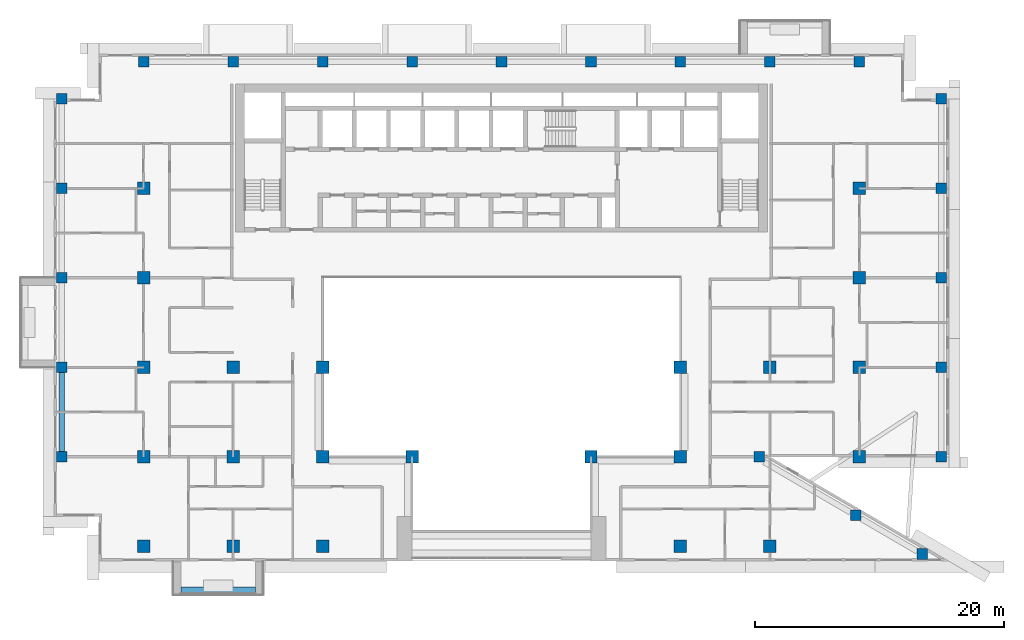
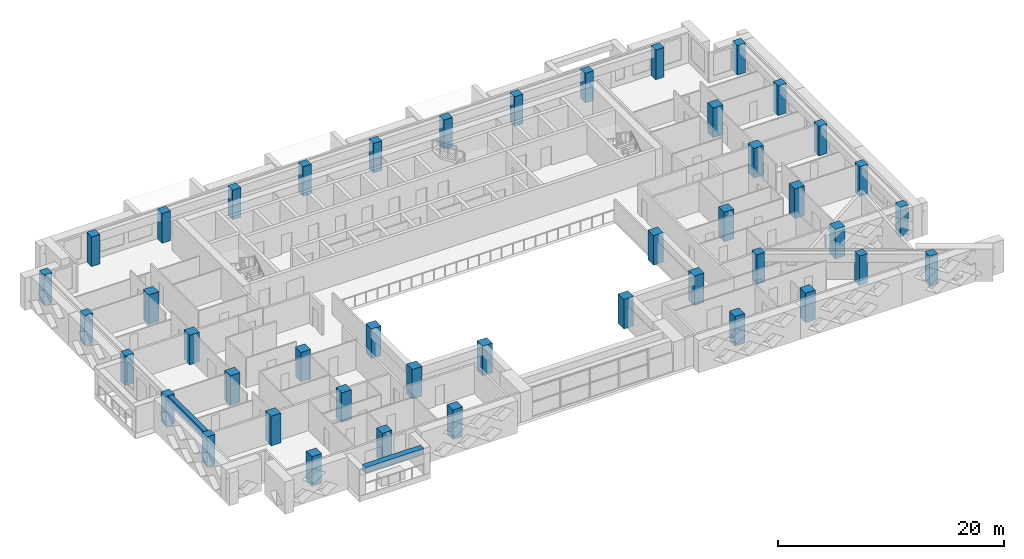
# One storey, part 1 of 20: 44 columns, 2 beams.
"""IFC4 building model written with IfcOpenShell, lengths in metres."""

from ifc_helpers import new_model, si_unit, direction, frame, origin, origin_2d, place, context, subcontext, project, spatial, rectangle, extrude, source, transform, mapped, material, material_profile, profile_set, type_object, element, save


model = new_model("IFC4")

# Units and contexts
model_context = context("Model", 3, precision=1e-05, world=origin(), true_north=direction((0.0, 1.0)))
body_context = subcontext(model_context, "Body", "Model", "MODEL_VIEW")
ifc_project = project(units=[si_unit("LENGTHUNIT", "METRE"), si_unit("AREAUNIT", "SQUARE_METRE"), si_unit("VOLUMEUNIT", "CUBIC_METRE"), si_unit("PLANEANGLEUNIT", "RADIAN"), si_unit("MASSUNIT", "GRAM", prefix="KILO")], contexts=[model_context])

# Site, building, storey
site_placement = place(None, origin())
site = spatial("IfcSite", under=ifc_project, at=site_placement, CompositionType="ELEMENT")
building_placement = place(site_placement, origin())
building = spatial("IfcBuilding", under=site, at=building_placement, Name="Saffron Iwan Residences", CompositionType="ELEMENT")
storey_placement = place(building_placement, frame((0.0, 0.0, 164.0)))
storey = spatial("IfcBuildingStorey", under=building, at=storey_placement, Name="L43", CompositionType="ELEMENT", Elevation=164.0)

# Columns
ifc_material_1 = material(Name="Concrete C50/60", Category="concrete")
ifc_material_profile_1 = material_profile(ifc_material_1, rectangle(XDim=0.85009765625, YDim=0.85009765625, at=origin_2d()), Name="RC 850x850")
ifc_profile_set_1 = profile_set([ifc_material_profile_1], Name="Concrete C50/60")
column_type_1 = type_object("IfcColumnType", Name="COL RC 850x850 C50/60 3200 HIGH", PredefinedType="COLUMN", material=ifc_profile_set_1)
shared_shape_1 = source(origin(), body_context, "Body", "SweptSolid", [
    extrude(rectangle(XDim=0.85009765625, YDim=0.85009765625, at=origin_2d()), origin(), (0.0, 0.0, 1.0), 3.199951171875),
])
for number, where, z_axis, x_axis, name in (
    (1, (84.276123046875, 40.17431640625, 0.0), (0.0, 0.0, 1.0), (1.0, 0.0, 0.0), "Column C045"),
    (2, (78.897705078125, 43.28173828125, 0.0), (0.0, 0.0, 1.0), (1.0, 0.0, 0.0), "Column C058"),
    (3, (15.0, 48.0, 0.0), (0.0, 0.0, 1.0), (1.0, 0.0, 0.0), "Column C061"),
    (4, (71.14990234375, 48.0, 0.0), (0.0, 0.0, 1.0), (1.0, 0.0, 0.0), "Column C070"),
    (5, (85.800048828125, 48.0, 0.0), (0.0, 0.0, 1.0), (1.0, 0.0, 0.0), "Column C074"),
    (6, (15.0, 55.199951171875, 0.0), (0.0, 0.0, 1.0), (1.0, 0.0, 0.0), "Column C077"),
    (7, (85.800048828125, 55.199951171875, 0.0), (0.0, 0.0, 1.0), (1.0, 0.0, 0.0), "Column C086"),
    (8, (15.0, 62.39990234375, 0.0), (0.0, 0.0, 1.0), (1.0, 0.0, 0.0), "Column C089"),
    (9, (85.800048828125, 62.39990234375, 0.0), (0.0, 0.0, 1.0), (1.0, 0.0, 0.0), "Column C094"),
    (10, (15.0, 69.60009765625, 0.0), (0.0, 0.0, 1.0), (1.0, 0.0, 0.0), "Column C097"),
    (11, (85.800048828125, 69.60009765625, 0.0), (0.0, 0.0, 1.0), (1.0, 0.0, 0.0), "Column C102"),
    (12, (15.0, 76.800048828125, 0.0), (0.0, 0.0, 1.0), (1.0, 0.0, 0.0), "Column C105"),
    (13, (85.800048828125, 76.800048828125, 0.0), (0.0, 0.0, 1.0), (1.0, 0.0, 0.0), "Column C110"),
    (14, (21.60009765625, 79.800048828125, 0.0), (0.0, 0.0, 1.0), (1.0, 0.0, 0.0), "Column C113"),
    (15, (28.800048828125, 79.800048828125, 0.0), (0.0, 0.0, 1.0), (1.0, 0.0, 0.0), "Column C115"),
    (16, (36.0, 79.800048828125, 0.0), (0.0, 0.0, 1.0), (1.0, 0.0, 0.0), "Column C116"),
    (17, (43.199951171875, 79.800048828125, 0.0), (0.0, 0.0, 1.0), (1.0, 0.0, 0.0), "Column C117"),
    (18, (50.39990234375, 79.800048828125, 0.0), (0.0, 0.0, 1.0), (1.0, 0.0, 0.0), "Column C118"),
    (19, (57.60009765625, 79.800048828125, 0.0), (0.0, 0.0, 1.0), (1.0, 0.0, 0.0), "Column C119"),
    (20, (64.800048828125, 79.800048828125, 0.0), (0.0, 0.0, 1.0), (1.0, 0.0, 0.0), "Column C120"),
    (21, (72.0, 79.800048828125, 0.0), (0.0, 0.0, 1.0), (1.0, 0.0, 0.0), "Column C121"),
    (22, (79.199951171875, 79.800048828125, 0.0), (0.0, 0.0, 1.0), (1.0, 0.0, 0.0), "Column C123"),
):
    element("IfcColumn", number, at=place(storey_placement, frame(where, z_axis=z_axis, x_axis=x_axis)), inside=storey, type_object=column_type_1, Name=name, PredefinedType="COLUMN", context=body_context, shape_type="MappedRepresentation", body=[
        mapped(shared_shape_1, transform((0.0, 0.0, 0.0))),
    ])
ifc_material_profile_2 = material_profile(ifc_material_1, rectangle(XDim=1.0, YDim=1.0, at=origin_2d()), Name="RC 1000x1000")
ifc_profile_set_2 = profile_set([ifc_material_profile_2], Name="Concrete C50/60")
column_type_2 = type_object("IfcColumnType", Name="COL RC 1000x1000 C50/60 3200 HIGH", PredefinedType="COLUMN", material=ifc_profile_set_2)
shared_shape_2 = source(origin(), body_context, "Body", "SweptSolid", [
    extrude(rectangle(XDim=1.0, YDim=1.0, at=origin_2d()), origin(), (0.0, 0.0, 1.0), 3.199951171875),
])
for number, where, z_axis, x_axis, name in (
    (23, (21.60009765625, 40.800048828125, 0.0), (0.0, 0.0, 1.0), (1.0, 0.0, 0.0), "Column C049"),
    (24, (28.800048828125, 40.800048828125, 0.0), (0.0, 0.0, 1.0), (1.0, 0.0, 0.0), "Column C051"),
    (25, (36.0, 40.800048828125, 0.0), (0.0, 0.0, 1.0), (1.0, 0.0, 0.0), "Column C052"),
    (26, (64.800048828125, 40.800048828125, 0.0), (0.0, 0.0, 1.0), (1.0, 0.0, 0.0), "Column C055"),
    (27, (72.0, 40.800048828125, 0.0), (0.0, 0.0, 1.0), (1.0, 0.0, 0.0), "Column C056"),
    (28, (21.60009765625, 48.0, 0.0), (0.0, 0.0, 1.0), (1.0, 0.0, 0.0), "Column C063"),
    (29, (28.800048828125, 48.0, 0.0), (0.0, 0.0, 1.0), (1.0, 0.0, 0.0), "Column C064"),
    (30, (36.0, 48.0, 0.0), (0.0, 0.0, 1.0), (1.0, 0.0, 0.0), "Column C065"),
    (31, (43.199951171875, 48.0, 0.0), (0.0, 0.0, 1.0), (1.0, 0.0, 0.0), "Column C066"),
    (32, (57.60009765625, 48.0, 0.0), (0.0, 0.0, 1.0), (1.0, 0.0, 0.0), "Column C068"),
    (33, (64.800048828125, 48.0, 0.0), (0.0, 0.0, 1.0), (1.0, 0.0, 0.0), "Column C069"),
    (34, (79.199951171875, 48.0, 0.0), (0.0, 0.0, 1.0), (1.0, 0.0, 0.0), "Column C072"),
    (35, (21.60009765625, 55.199951171875, 0.0), (0.0, 0.0, 1.0), (1.0, 0.0, 0.0), "Column C079"),
    (36, (28.800048828125, 55.199951171875, 0.0), (0.0, 0.0, 1.0), (1.0, 0.0, 0.0), "Column C080"),
    (37, (36.0, 55.199951171875, 0.0), (0.0, 0.0, 1.0), (1.0, 0.0, 0.0), "Column C081"),
    (38, (64.800048828125, 55.199951171875, 0.0), (0.0, 0.0, 1.0), (1.0, 0.0, 0.0), "Column C082"),
    (39, (72.0, 55.199951171875, 0.0), (0.0, 0.0, 1.0), (1.0, 0.0, 0.0), "Column C083"),
    (40, (79.199951171875, 55.199951171875, 0.0), (0.0, 0.0, 1.0), (1.0, 0.0, 0.0), "Column C084"),
    (41, (21.60009765625, 62.39990234375, 0.0), (0.0, 0.0, 1.0), (1.0, 0.0, 0.0), "Column C091"),
    (42, (79.199951171875, 62.39990234375, 0.0), (0.0, 0.0, 1.0), (1.0, 0.0, 0.0), "Column C092"),
    (43, (21.60009765625, 69.60009765625, 0.0), (0.0, 0.0, 1.0), (1.0, 0.0, 0.0), "Column C099"),
    (44, (79.199951171875, 69.60009765625, 0.0), (0.0, 0.0, 1.0), (1.0, 0.0, 0.0), "Column C100"),
):
    element("IfcColumn", number, at=place(storey_placement, frame(where, z_axis=z_axis, x_axis=x_axis)), inside=storey, type_object=column_type_2, Name=name, PredefinedType="COLUMN", context=body_context, shape_type="MappedRepresentation", body=[
        mapped(shared_shape_2, transform((0.0, 0.0, 0.0))),
    ])

# Beams
ifc_material_profile_3 = material_profile(ifc_material_1, rectangle(XDim=0.449951171875, YDim=0.89990234375, at=origin_2d()), Name="RC 450x900")
ifc_profile_set_3 = profile_set([ifc_material_profile_3], Name="Concrete C50/60")
beam_type_1 = type_object("IfcBeamType", Name="SPANDREL BEAM RC 450x900 C50/60 TOP 3200", PredefinedType="SPANDREL", material=ifc_profile_set_3)
shared_shape_3 = source(origin(), body_context, "Body", "SweptSolid", [
    extrude(rectangle(XDim=0.449951171875, YDim=0.89990234375, at=origin_2d()), origin(), (0.0, 0.0, 1.0), 6.349853515625),
])
beam_1_placement = place(storey_placement, frame((15.0, 48.425048828125, 2.75), z_axis=(0.0, 1.0, 0.0), x_axis=(-1.0, 0.0, 0.0)))
element("IfcBeam", 45, at=beam_1_placement, inside=storey, type_object=beam_type_1, Name="Spandrel beam", PredefinedType="SPANDREL", context=body_context, shape_type="MappedRepresentation", body=[
    mapped(shared_shape_3, transform((0.0, 0.0, 0.0))),
])
ifc_material_2 = material(Name="Concrete C50/60 white painted", Category="concrete")
ifc_material_profile_4 = material_profile(ifc_material_2, rectangle(XDim=0.60009765625, YDim=0.60009765625, at=origin_2d()), Name="BALCONY FASCIA BEAM 600 x 600")
ifc_profile_set_4 = profile_set([ifc_material_profile_4], Name="Concrete C50/60 white painted")
beam_type_2 = type_object("IfcBeamType", Name="BALCONY FASCIA BEAM 600 x 600", PredefinedType="BEAM", material=ifc_profile_set_4)
shared_shape_4 = source(origin(), body_context, "Body", "SweptSolid", [
    extrude(rectangle(XDim=0.60009765625, YDim=0.60009765625, at=origin_2d()), origin(), (0.0, 0.0, 1.0), 6.0),
])
beam_2_placement = place(storey_placement, frame((24.60009765625, 37.199951171875, 2.550048828125), z_axis=(1.0, 0.0, 0.0), x_axis=(0.0, 1.0, 0.0)))
element("IfcBeam", 46, at=beam_2_placement, inside=storey, type_object=beam_type_2, Name="Balcony fascia beam L43 11-0", PredefinedType="BEAM", context=body_context, shape_type="MappedRepresentation", body=[
    mapped(shared_shape_4, transform((0.0, 0.0, 0.0))),
])

save(model, "model.ifc")
